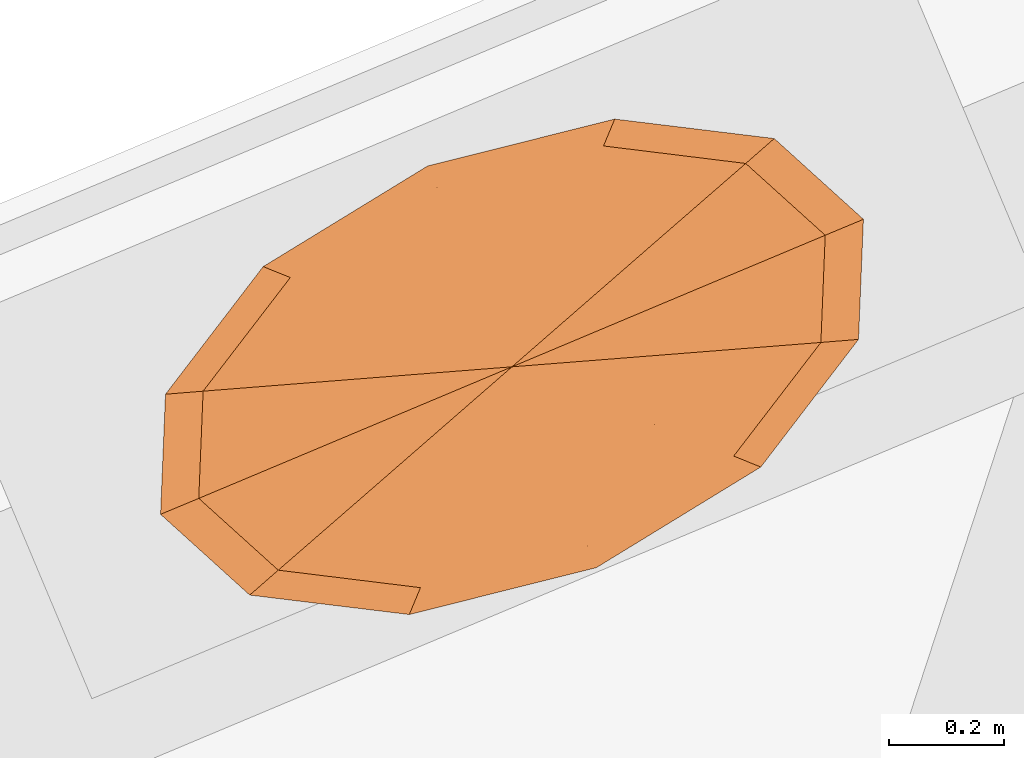
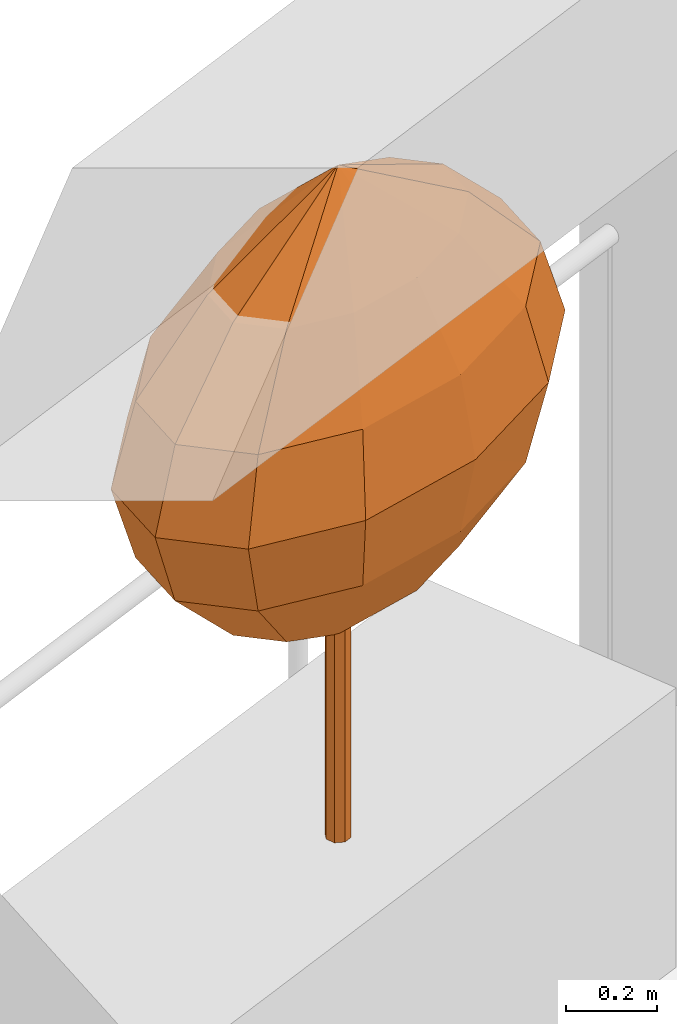
# One storey, part 12 of 12: 1 geographic element.
"""IFC4 building model written with IfcOpenShell, lengths in metres."""

from ifc_helpers import new_model, si_unit, direction, frame, origin, place, context, subcontext, project, spatial, faceted_brep, material, constituent, constituent_set, type_object, element, save


model = new_model("IFC4")

# Units and contexts
model_context = context("Model", 3, precision=1e-05, world=origin(), true_north=direction((0.0, 1.0)))
body_context = subcontext(model_context, "Body", "Model", "MODEL_VIEW")
ifc_project = project(units=[si_unit("LENGTHUNIT", "METRE"), si_unit("AREAUNIT", "SQUARE_METRE"), si_unit("VOLUMEUNIT", "CUBIC_METRE"), si_unit("PLANEANGLEUNIT", "RADIAN"), si_unit("MASSUNIT", "GRAM", prefix="KILO")], contexts=[model_context])

# Site, building, storey
site_placement = place(None, origin())
site = spatial("IfcSite", under=ifc_project, at=site_placement, CompositionType="ELEMENT")
building_placement = place(site_placement, origin())
building = spatial("IfcBuilding", under=site, at=building_placement, Name="Taillehof Tower", CompositionType="ELEMENT")
storey_placement = place(building_placement, frame((0.0, 0.0, 256.39990234375)))
storey = spatial("IfcBuildingStorey", under=building, at=storey_placement, Name="L73", CompositionType="ELEMENT", Elevation=256.39990234375)

# Geographic element
ifc_material_1 = material(Name="Tree bark", Category="timber")
ifc_constituent_1 = constituent(ifc_material_1, Name="Trunk", Category="timber")
ifc_material_2 = material(Name="Tree foliage")
ifc_constituent_2 = constituent(ifc_material_2, Name="Crown")
ifc_constituent_set = constituent_set(constituents=[ifc_constituent_1, ifc_constituent_2], Name="Tree TR4 Sea buckthorn standard")
geographic_element_type = type_object("IfcGeographicElementType", Name="Tree TR4 Sea buckthorn standard", PredefinedType="USERDEFINED", material=ifc_constituent_set)
geographic_element_placement = place(storey_placement, frame((-10.279541015625, 19.973388671875, 0.75)))
element("IfcGeographicElement", 1, at=geographic_element_placement, inside=storey, type_object=geographic_element_type, Name="Tree TR4 Sea buckthorn standard", ObjectType="TREE", PredefinedType="USERDEFINED", context=body_context, shape_type="Brep", body=[
    faceted_brep([(0.030029296875, 0.0, 0.0), (0.021240234375, 0.021240234375, 0.0), (0.021240234375, 0.021240234375, 0.98095703125), (0.030029296875, 0.0, 0.98095703125), (0.0, 0.030029296875, 0.0), (0.0, 0.030029296875, 0.98095703125), (-0.021240234375, 0.021240234375, 0.0), (-0.021240234375, 0.021240234375, 0.98095703125), (-0.030029296875, 0.0, 0.0), (-0.030029296875, 0.0, 0.98095703125), (-0.021240234375, -0.021240234375, 0.0), (-0.021240234375, -0.021240234375, 0.98095703125), (0.0, -0.030029296875, 0.0), (0.0, -0.030029296875, 0.98095703125), (0.021240234375, -0.021240234375, 0.0), (0.021240234375, -0.021240234375, 0.98095703125)], [[[0, 1, 2, 3]], [[1, 4, 5, 2]], [[4, 6, 7, 5]], [[6, 8, 9, 7]], [[8, 10, 11, 9]], [[10, 12, 13, 11]], [[12, 14, 15, 13]], [[14, 0, 3, 15]], [[14, 12, 10, 8, 6, 4, 1, 0]], [[3, 2, 5, 7, 9, 11, 13, 15]]]),
    faceted_brep([(0.0, 0.0, 0.5400390625), (-0.2626953125, -0.228759765625, 0.75), (-0.35205078125, -0.14794921875, 0.75), (-0.10302734375, -0.248291015625, 0.75), (0.08447265625, -0.201171875, 0.75), (0.249267578125, -0.100341796875, 0.75), (0.34716796875, 0.02734375, 0.75), (0.35205078125, 0.14794921875, 0.75), (0.2626953125, 0.228759765625, 0.75), (0.10302734375, 0.248291015625, 0.75), (-0.08447265625, 0.201171875, 0.75), (-0.249267578125, 0.100341796875, 0.75), (-0.34716796875, -0.02734375, 0.75), (-0.40771484375, -0.354736328125, 0.9599609375), (-0.54638671875, -0.2294921875, 0.9599609375), (-0.15966796875, -0.38525390625, 0.9599609375), (0.131103515625, -0.312255859375, 0.9599609375), (0.38671875, -0.15576171875, 0.9599609375), (0.538818359375, 0.04248046875, 0.9599609375), (0.54638671875, 0.2294921875, 0.9599609375), (0.40771484375, 0.354736328125, 0.9599609375), (0.15966796875, 0.38525390625, 0.9599609375), (-0.131103515625, 0.312255859375, 0.9599609375), (-0.38671875, 0.15576171875, 0.9599609375), (-0.538818359375, -0.04248046875, 0.9599609375), (-0.45751953125, -0.398193359375, 1.169921875), (-0.613037109375, -0.25732421875, 1.169921875), (-0.17919921875, -0.43212890625, 1.169921875), (0.147216796875, -0.350341796875, 1.169921875), (0.43408203125, -0.1748046875, 1.169921875), (0.6044921875, 0.0478515625, 1.169921875), (0.613037109375, 0.25732421875, 1.169921875), (0.45751953125, 0.398193359375, 1.169921875), (0.17919921875, 0.43212890625, 1.169921875), (-0.147216796875, 0.350341796875, 1.169921875), (-0.43408203125, 0.1748046875, 1.169921875), (-0.6044921875, -0.0478515625, 1.169921875), (-0.40771484375, -0.354736328125, 1.3798828125), (-0.54638671875, -0.2294921875, 1.3798828125), (-0.15966796875, -0.38525390625, 1.3798828125), (0.131103515625, -0.312255859375, 1.3798828125), (0.38671875, -0.15576171875, 1.3798828125), (0.538818359375, 0.04248046875, 1.3798828125), (0.54638671875, 0.2294921875, 1.3798828125), (0.40771484375, 0.354736328125, 1.3798828125), (0.15966796875, 0.38525390625, 1.3798828125), (-0.131103515625, 0.312255859375, 1.3798828125), (-0.38671875, 0.15576171875, 1.3798828125), (-0.538818359375, -0.04248046875, 1.3798828125), (-0.2626953125, -0.228759765625, 1.590087890625), (-0.35205078125, -0.14794921875, 1.590087890625), (-0.10302734375, -0.248291015625, 1.590087890625), (0.08447265625, -0.201171875, 1.590087890625), (0.249267578125, -0.100341796875, 1.590087890625), (0.34716796875, 0.02734375, 1.590087890625), (0.35205078125, 0.14794921875, 1.590087890625), (0.2626953125, 0.228759765625, 1.590087890625), (0.10302734375, 0.248291015625, 1.590087890625), (-0.08447265625, 0.201171875, 1.590087890625), (-0.249267578125, 0.100341796875, 1.590087890625), (-0.34716796875, -0.02734375, 1.590087890625), (0.0, 0.0, 1.800048828125)], [[[0, 1, 2]], [[0, 3, 1]], [[0, 4, 3]], [[0, 5, 4]], [[0, 6, 5]], [[0, 7, 6]], [[0, 8, 7]], [[0, 9, 8]], [[0, 10, 9]], [[0, 11, 10]], [[0, 12, 11]], [[0, 2, 12]], [[2, 1, 13, 14]], [[1, 3, 15, 13]], [[3, 4, 16, 15]], [[4, 5, 17, 16]], [[5, 6, 18, 17]], [[6, 7, 19, 18]], [[7, 8, 20, 19]], [[8, 9, 21, 20]], [[9, 10, 22, 21]], [[10, 11, 23, 22]], [[11, 12, 24, 23]], [[12, 2, 14, 24]], [[14, 13, 25, 26]], [[13, 15, 27, 25]], [[15, 16, 28, 27]], [[16, 17, 29, 28]], [[17, 18, 30, 29]], [[18, 19, 31, 30]], [[19, 20, 32, 31]], [[20, 21, 33, 32]], [[21, 22, 34, 33]], [[22, 23, 35, 34]], [[23, 24, 36, 35]], [[24, 14, 26, 36]], [[26, 25, 37, 38]], [[25, 27, 39, 37]], [[27, 28, 40, 39]], [[28, 29, 41, 40]], [[29, 30, 42, 41]], [[30, 31, 43, 42]], [[31, 32, 44, 43]], [[32, 33, 45, 44]], [[33, 34, 46, 45]], [[34, 35, 47, 46]], [[35, 36, 48, 47]], [[36, 26, 38, 48]], [[38, 37, 49, 50]], [[37, 39, 51, 49]], [[39, 40, 52, 51]], [[40, 41, 53, 52]], [[41, 42, 54, 53]], [[42, 43, 55, 54]], [[43, 44, 56, 55]], [[44, 45, 57, 56]], [[45, 46, 58, 57]], [[46, 47, 59, 58]], [[47, 48, 60, 59]], [[48, 38, 50, 60]], [[50, 49, 61]], [[49, 51, 61]], [[51, 52, 61]], [[52, 53, 61]], [[53, 54, 61]], [[54, 55, 61]], [[55, 56, 61]], [[56, 57, 61]], [[57, 58, 61]], [[58, 59, 61]], [[59, 60, 61]], [[60, 50, 61]]]),
])

save(model, "model.ifc")
